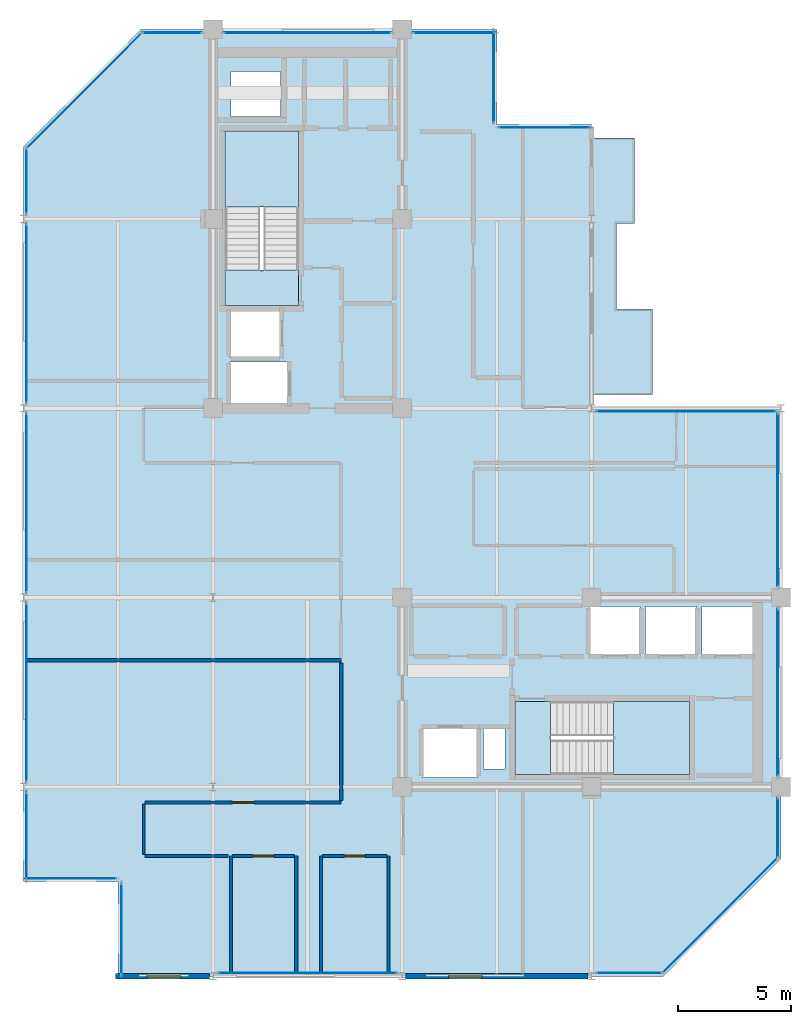
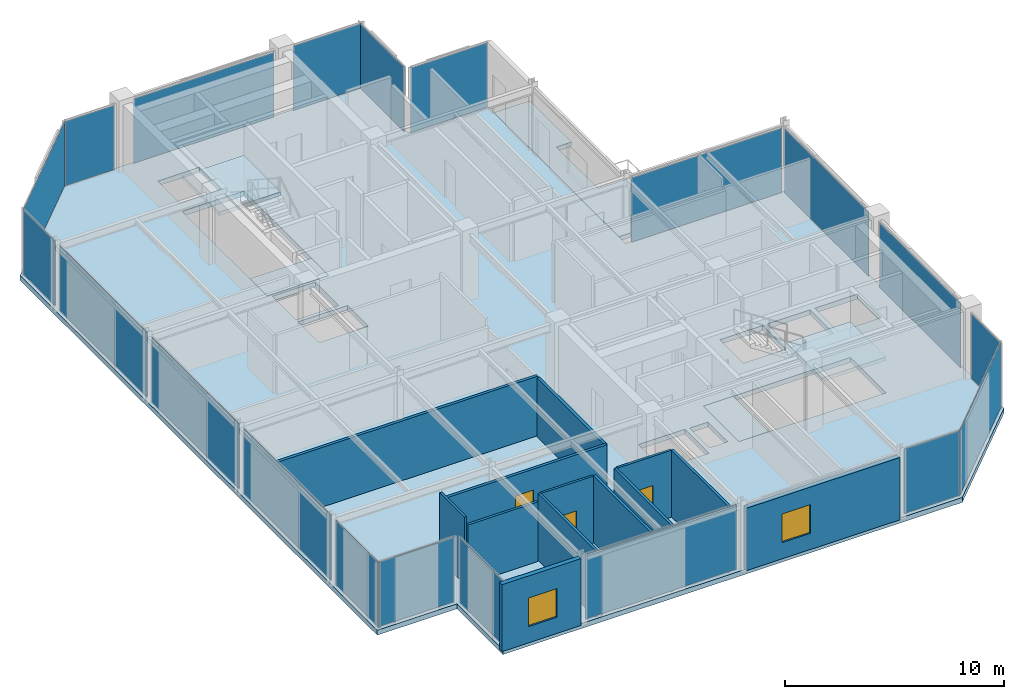
# One storey, part 19 of 24: 20 plates, 13 walls, 6 slabs, 3 doors, 2 windows, 5 openings, 22 elements without a shape of their own.
"""IFC4 building model written with IfcOpenShell, lengths in metres."""

from ifc_helpers import new_model, si_unit, direction, frame, frame_2d, origin, origin_2d, place, context, subcontext, project, spatial, polyline, rectangle, outline, extrude, material, layer, layer_set, type_object, element, fill, aggregate, save


model = new_model("IFC4")

# Units and contexts
model_context = context("Model", 3, precision=1e-05, world=origin(), true_north=direction((0.0, 1.0)))
body_context = subcontext(model_context, "Body", "Model", "MODEL_VIEW")
ifc_project = project(units=[si_unit("LENGTHUNIT", "METRE"), si_unit("AREAUNIT", "SQUARE_METRE"), si_unit("VOLUMEUNIT", "CUBIC_METRE"), si_unit("PLANEANGLEUNIT", "RADIAN"), si_unit("MASSUNIT", "GRAM", prefix="KILO")], contexts=[model_context])

# Site, building, storey
site_placement = place(None, origin())
site = spatial("IfcSite", under=ifc_project, at=site_placement, CompositionType="ELEMENT")
building_placement = place(site_placement, origin())
building = spatial("IfcBuilding", under=site, at=building_placement, Name="Nerrivon Quay Data Exchange", CompositionType="ELEMENT")
storey_placement = place(building_placement, frame((0.0, 0.0, 294.199951171875)))
storey = spatial("IfcBuildingStorey", under=building, at=storey_placement, Name="L70", CompositionType="ELEMENT", Elevation=294.199951171875)

# Curtain wall, plate
ifc_material_1 = material(Name="Anodised aluminium 6063-T6", Category="aluminium")
ifc_layer_1 = layer(ifc_material_1, 0.195068359375)
ifc_layer_set_1 = layer_set([ifc_layer_1], Name="Anodised aluminium 6063-T6")
curtain_wall_type = type_object("IfcCurtainWallType", Name="CW-SYS-06", PredefinedType="NOTDEFINED", material=ifc_layer_set_1)
curtain_wall_1_placement = place(storey_placement, origin())
curtain_wall_1 = element("IfcCurtainWall", 1, at=curtain_wall_1_placement, inside=storey, type_object=curtain_wall_type, Name="L70 Unitised Curtain Wall 1", PredefinedType="NOTDEFINED")
ifc_material_2 = material(Name="Double-glazed low-E solar control glass", Category="glass")
ifc_layer_2 = layer(ifc_material_2, 0.028076171875)
ifc_layer_set_2 = layer_set([ifc_layer_2], Name="Double-glazed low-E solar control glass")
plate_type = type_object("IfcPlateType", Name="CWP-GLZ-28", PredefinedType="CURTAIN_PANEL", material=ifc_layer_set_2)
plate_1_placement = place(storey_placement, frame((30.90087890625, 2.698974609375, 0.06494140625), z_axis=(0.0, 0.0, 1.0), x_axis=(-0.707106781187, -0.707106781187, 0.0)))
plate_1 = element("IfcPlate", 2, at=plate_1_placement, type_object=plate_type, Name="CW06 panel 1.1", PredefinedType="CURTAIN_PANEL", context=body_context, shape_type="SweptSolid", body=[
    extrude(rectangle(XDim=7.203857421875, YDim=0.028076171875, at=origin_2d()), origin(), (0.0, 0.0, 1.0), 3.594970703125),
])
aggregate(curtain_wall_1, [plate_1])

curtain_wall_2_placement = place(storey_placement, origin())
curtain_wall_2 = element("IfcCurtainWall", 3, at=curtain_wall_2_placement, inside=storey, type_object=curtain_wall_type, Name="L70 Unitised Curtain Wall 2", PredefinedType="NOTDEFINED")
plate_2_placement = place(storey_placement, frame((26.877685546875, 0.139892578125, 0.06494140625), z_axis=(0.0, 0.0, 1.0), x_axis=(-1.0, 0.0, 0.0)))
plate_2 = element("IfcPlate", 4, at=plate_2_placement, type_object=plate_type, Name="CW06 panel 1.1", PredefinedType="CURTAIN_PANEL", context=body_context, shape_type="SweptSolid", body=[
    extrude(rectangle(XDim=2.89453125, YDim=0.028076171875, at=origin_2d()), origin(), (0.0, 0.0, 1.0), 3.594970703125),
])
aggregate(curtain_wall_2, [plate_2])

curtain_wall_3_placement = place(storey_placement, origin())
curtain_wall_3 = element("IfcCurtainWall", 5, at=curtain_wall_3_placement, inside=storey, type_object=curtain_wall_type, Name="L70 Unitised Curtain Wall 4", PredefinedType="NOTDEFINED")
plate_3_placement = place(storey_placement, frame((12.60009765625, 0.139892578125, 0.06494140625), z_axis=(0.0, 0.0, 1.0), x_axis=(-1.0, 0.0, 0.0)))
plate_3 = element("IfcPlate", 6, at=plate_3_placement, type_object=plate_type, Name="CW06 panel 1.1", PredefinedType="CURTAIN_PANEL", context=body_context, shape_type="SweptSolid", body=[
    extrude(rectangle(XDim=7.93896484375, YDim=0.028076171875, at=origin_2d()), origin(), (0.0, 0.0, 1.0), 3.594970703125),
])
aggregate(curtain_wall_3, [plate_3])

curtain_wall_4_placement = place(storey_placement, origin())
curtain_wall_4 = element("IfcCurtainWall", 7, at=curtain_wall_4_placement, inside=storey, type_object=curtain_wall_type, Name="L70 Unitised Curtain Wall 6", PredefinedType="NOTDEFINED")
plate_4_placement = place(storey_placement, frame((4.340087890625, 2.10009765625, 0.06494140625), z_axis=(0.0, 0.0, 1.0), x_axis=(0.0, 1.0, 0.0)))
plate_4 = element("IfcPlate", 8, at=plate_4_placement, type_object=plate_type, Name="CW06 panel 1.1", PredefinedType="CURTAIN_PANEL", context=body_context, shape_type="SweptSolid", body=[
    extrude(rectangle(XDim=4.050048828125, YDim=0.028076171875, at=origin_2d()), origin(), (0.0, 0.0, 1.0), 3.594970703125),
])
aggregate(curtain_wall_4, [plate_4])

curtain_wall_5_placement = place(storey_placement, origin())
curtain_wall_5 = element("IfcCurtainWall", 9, at=curtain_wall_5_placement, inside=storey, type_object=curtain_wall_type, Name="L70 Unitised Curtain Wall 7", PredefinedType="NOTDEFINED")
plate_5_placement = place(storey_placement, frame((2.10009765625, 4.340087890625, 0.06494140625), z_axis=(0.0, 0.0, 1.0), x_axis=(-1.0, 0.0, 0.0)))
plate_5 = element("IfcPlate", 10, at=plate_5_placement, type_object=plate_type, Name="CW06 panel 1.1", PredefinedType="CURTAIN_PANEL", context=body_context, shape_type="SweptSolid", body=[
    extrude(rectangle(XDim=4.050048828125, YDim=0.028076171875, at=origin_2d()), origin(), (0.0, 0.0, 1.0), 3.594970703125),
])
aggregate(curtain_wall_5, [plate_5])

curtain_wall_6_placement = place(storey_placement, origin())
curtain_wall_6 = element("IfcCurtainWall", 11, at=curtain_wall_6_placement, inside=storey, type_object=curtain_wall_type, Name="L70 Unitised Curtain Wall 8", PredefinedType="NOTDEFINED")
plate_6_placement = place(storey_placement, frame((0.139892578125, 6.21826171875, 0.06494140625), z_axis=(0.0, 0.0, 1.0), x_axis=(0.0, 1.0, 0.0)))
plate_6 = element("IfcPlate", 12, at=plate_6_placement, type_object=plate_type, Name="CW06 panel 1.1", PredefinedType="CURTAIN_PANEL", context=body_context, shape_type="SweptSolid", body=[
    extrude(rectangle(XDim=3.886474609375, YDim=0.028076171875, at=origin_2d()), origin(), (0.0, 0.0, 1.0), 3.594970703125),
])
aggregate(curtain_wall_6, [plate_6])

curtain_wall_7_placement = place(storey_placement, origin())
curtain_wall_7 = element("IfcCurtainWall", 13, at=curtain_wall_7_placement, inside=storey, type_object=curtain_wall_type, Name="L70 Unitised Curtain Wall 9", PredefinedType="NOTDEFINED")
plate_7_placement = place(storey_placement, frame((0.139892578125, 12.60009765625, 0.06494140625), z_axis=(0.0, 0.0, 1.0), x_axis=(0.0, 1.0, 0.0)))
plate_7 = element("IfcPlate", 14, at=plate_7_placement, type_object=plate_type, Name="CW06 panel 1.1", PredefinedType="CURTAIN_PANEL", context=body_context, shape_type="SweptSolid", body=[
    extrude(rectangle(XDim=7.923095703125, YDim=0.028076171875, at=origin_2d()), origin(), (0.0, 0.0, 1.0), 3.594970703125),
])
aggregate(curtain_wall_7, [plate_7])

curtain_wall_8_placement = place(storey_placement, origin())
curtain_wall_8 = element("IfcCurtainWall", 15, at=curtain_wall_8_placement, inside=storey, type_object=curtain_wall_type, Name="L70 Unitised Curtain Wall 10", PredefinedType="NOTDEFINED")
plate_8_placement = place(storey_placement, frame((0.139892578125, 21.0, 0.06494140625), z_axis=(0.0, 0.0, 1.0), x_axis=(0.0, 1.0, 0.0)))
plate_8 = element("IfcPlate", 16, at=plate_8_placement, type_object=plate_type, Name="CW06 panel 1.1", PredefinedType="CURTAIN_PANEL", context=body_context, shape_type="SweptSolid", body=[
    extrude(rectangle(XDim=7.923095703125, YDim=0.028076171875, at=origin_2d()), origin(), (0.0, 0.0, 1.0), 3.594970703125),
])
aggregate(curtain_wall_8, [plate_8])

curtain_wall_9_placement = place(storey_placement, origin())
curtain_wall_9 = element("IfcCurtainWall", 17, at=curtain_wall_9_placement, inside=storey, type_object=curtain_wall_type, Name="L70 Unitised Curtain Wall 11", PredefinedType="NOTDEFINED")
plate_9_placement = place(storey_placement, frame((0.139892578125, 29.39990234375, 0.06494140625), z_axis=(0.0, 0.0, 1.0), x_axis=(0.0, 1.0, 0.0)))
plate_9 = element("IfcPlate", 18, at=plate_9_placement, type_object=plate_type, Name="CW06 panel 1.1", PredefinedType="CURTAIN_PANEL", context=body_context, shape_type="SweptSolid", body=[
    extrude(rectangle(XDim=7.923095703125, YDim=0.028076171875, at=origin_2d()), origin(), (0.0, 0.0, 1.0), 3.594970703125),
])
aggregate(curtain_wall_9, [plate_9])

curtain_wall_10_placement = place(storey_placement, origin())
curtain_wall_10 = element("IfcCurtainWall", 19, at=curtain_wall_10_placement, inside=storey, type_object=curtain_wall_type, Name="L70 Unitised Curtain Wall 12", PredefinedType="NOTDEFINED")
plate_10_placement = place(storey_placement, frame((0.139892578125, 35.28173828125, 0.06494140625), z_axis=(0.0, 0.0, 1.0), x_axis=(0.0, 1.0, 0.0)))
plate_10 = element("IfcPlate", 20, at=plate_10_placement, type_object=plate_type, Name="CW06 panel 1.1", PredefinedType="CURTAIN_PANEL", context=body_context, shape_type="SweptSolid", body=[
    extrude(rectangle(XDim=2.886474609375, YDim=0.028076171875, at=origin_2d()), origin(), (0.0, 0.0, 1.0), 3.594970703125),
])
aggregate(curtain_wall_10, [plate_10])

curtain_wall_11_placement = place(storey_placement, origin())
curtain_wall_11 = element("IfcCurtainWall", 21, at=curtain_wall_11_placement, inside=storey, type_object=curtain_wall_type, Name="L70 Unitised Curtain Wall 13", PredefinedType="NOTDEFINED")
plate_11_placement = place(storey_placement, frame((2.698974609375, 39.301025390625, 0.06494140625), z_axis=(0.0, 0.0, 1.0), x_axis=(0.707106781187, 0.707106781187, 0.0)))
plate_11 = element("IfcPlate", 22, at=plate_11_placement, type_object=plate_type, Name="CW06 panel 1.1", PredefinedType="CURTAIN_PANEL", context=body_context, shape_type="SweptSolid", body=[
    extrude(rectangle(XDim=7.203857421875, YDim=0.028076171875, at=origin_2d()), origin(), (0.0, 0.0, 1.0), 3.594970703125),
])
aggregate(curtain_wall_11, [plate_11])

curtain_wall_12_placement = place(storey_placement, origin())
curtain_wall_12 = element("IfcCurtainWall", 23, at=curtain_wall_12_placement, inside=storey, type_object=curtain_wall_type, Name="L70 Unitised Curtain Wall 14", PredefinedType="NOTDEFINED")
plate_12_placement = place(storey_placement, frame((6.58740234375, 41.860107421875, 0.06494140625), z_axis=(0.0, 0.0, 1.0), x_axis=(1.0, 0.0, 0.0)))
plate_12 = element("IfcPlate", 24, at=plate_12_placement, type_object=plate_type, Name="CW06 panel 1.1", PredefinedType="CURTAIN_PANEL", context=body_context, shape_type="SweptSolid", body=[
    extrude(rectangle(XDim=2.625, YDim=0.028076171875, at=origin_2d()), origin(), (0.0, 0.0, 1.0), 3.594970703125),
])
aggregate(curtain_wall_12, [plate_12])

curtain_wall_13_placement = place(storey_placement, origin())
curtain_wall_13 = element("IfcCurtainWall", 25, at=curtain_wall_13_placement, inside=storey, type_object=curtain_wall_type, Name="L70 Unitised Curtain Wall 15", PredefinedType="NOTDEFINED")
plate_13_placement = place(storey_placement, frame((12.60009765625, 41.860107421875, 0.06494140625), z_axis=(0.0, 0.0, 1.0), x_axis=(1.0, 0.0, 0.0)))
plate_13 = element("IfcPlate", 26, at=plate_13_placement, type_object=plate_type, Name="CW06 panel 1.1", PredefinedType="CURTAIN_PANEL", context=body_context, shape_type="SweptSolid", body=[
    extrude(rectangle(XDim=7.39990234375, YDim=0.028076171875, at=origin_2d()), origin(), (0.0, 0.0, 1.0), 3.594970703125),
])
aggregate(curtain_wall_13, [plate_13])

curtain_wall_14_placement = place(storey_placement, origin())
curtain_wall_14 = element("IfcCurtainWall", 27, at=curtain_wall_14_placement, inside=storey, type_object=curtain_wall_type, Name="L70 Unitised Curtain Wall 16", PredefinedType="NOTDEFINED")
plate_14_placement = place(storey_placement, frame((19.112548828125, 41.860107421875, 0.06494140625), z_axis=(0.0, 0.0, 1.0), x_axis=(1.0, 0.0, 0.0)))
plate_14 = element("IfcPlate", 28, at=plate_14_placement, type_object=plate_type, Name="CW06 panel 1.1", PredefinedType="CURTAIN_PANEL", context=body_context, shape_type="SweptSolid", body=[
    extrude(rectangle(XDim=3.625, YDim=0.028076171875, at=origin_2d()), origin(), (0.0, 0.0, 1.0), 3.594970703125),
])
aggregate(curtain_wall_14, [plate_14])

curtain_wall_15_placement = place(storey_placement, origin())
curtain_wall_15 = element("IfcCurtainWall", 29, at=curtain_wall_15_placement, inside=storey, type_object=curtain_wall_type, Name="L70 Unitised Curtain Wall 17", PredefinedType="NOTDEFINED")
plate_15_placement = place(storey_placement, frame((20.860107421875, 39.89990234375, 0.06494140625), z_axis=(0.0, 0.0, 1.0), x_axis=(0.0, -1.0, 0.0)))
plate_15 = element("IfcPlate", 30, at=plate_15_placement, type_object=plate_type, Name="CW06 panel 1.1", PredefinedType="CURTAIN_PANEL", context=body_context, shape_type="SweptSolid", body=[
    extrude(rectangle(XDim=4.050048828125, YDim=0.028076171875, at=origin_2d()), origin(), (0.0, 0.0, 1.0), 3.594970703125),
])
aggregate(curtain_wall_15, [plate_15])

curtain_wall_16_placement = place(storey_placement, origin())
curtain_wall_16 = element("IfcCurtainWall", 31, at=curtain_wall_16_placement, inside=storey, type_object=curtain_wall_type, Name="L70 Unitised Curtain Wall 18", PredefinedType="NOTDEFINED")
plate_16_placement = place(storey_placement, frame((23.10009765625, 37.659912109375, 0.06494140625), z_axis=(0.0, 0.0, 1.0), x_axis=(1.0, 0.0, 0.0)))
plate_16 = element("IfcPlate", 32, at=plate_16_placement, type_object=plate_type, Name="CW06 panel 1.1", PredefinedType="CURTAIN_PANEL", context=body_context, shape_type="SweptSolid", body=[
    extrude(rectangle(XDim=4.050048828125, YDim=0.028076171875, at=origin_2d()), origin(), (0.0, 0.0, 1.0), 3.594970703125),
])
aggregate(curtain_wall_16, [plate_16])

curtain_wall_17_placement = place(storey_placement, origin())
curtain_wall_17 = element("IfcCurtainWall", 33, at=curtain_wall_17_placement, inside=storey, type_object=curtain_wall_type, Name="L70 Unitised Curtain Wall 21", PredefinedType="NOTDEFINED")
plate_17_placement = place(storey_placement, frame((29.39990234375, 25.06005859375, 0.06494140625), z_axis=(0.0, 0.0, 1.0), x_axis=(1.0, 0.0, 0.0)))
plate_17 = element("IfcPlate", 34, at=plate_17_placement, type_object=plate_type, Name="CW06 panel 1.1", PredefinedType="CURTAIN_PANEL", context=body_context, shape_type="SweptSolid", body=[
    extrude(rectangle(XDim=7.93896484375, YDim=0.028076171875, at=origin_2d()), origin(), (0.0, 0.0, 1.0), 3.594970703125),
])
aggregate(curtain_wall_17, [plate_17])

curtain_wall_18_placement = place(storey_placement, origin())
curtain_wall_18 = element("IfcCurtainWall", 35, at=curtain_wall_18_placement, inside=storey, type_object=curtain_wall_type, Name="L70 Unitised Curtain Wall 22", PredefinedType="NOTDEFINED")
plate_18_placement = place(storey_placement, frame((33.4599609375, 21.130859375, 0.06494140625), z_axis=(0.0, 0.0, 1.0), x_axis=(0.0, -1.0, 0.0)))
plate_18 = element("IfcPlate", 36, at=plate_18_placement, type_object=plate_type, Name="CW06 panel 1.1", PredefinedType="CURTAIN_PANEL", context=body_context, shape_type="SweptSolid", body=[
    extrude(rectangle(XDim=7.66162109375, YDim=0.028076171875, at=origin_2d()), origin(), (0.0, 0.0, 1.0), 3.594970703125),
])
aggregate(curtain_wall_18, [plate_18])

curtain_wall_19_placement = place(storey_placement, origin())
curtain_wall_19 = element("IfcCurtainWall", 37, at=curtain_wall_19_placement, inside=storey, type_object=curtain_wall_type, Name="L70 Unitised Curtain Wall 23", PredefinedType="NOTDEFINED")
plate_19_placement = place(storey_placement, frame((33.4599609375, 12.60009765625, 0.06494140625), z_axis=(0.0, 0.0, 1.0), x_axis=(0.0, -1.0, 0.0)))
plate_19 = element("IfcPlate", 38, at=plate_19_placement, type_object=plate_type, Name="CW06 panel 1.1", PredefinedType="CURTAIN_PANEL", context=body_context, shape_type="SweptSolid", body=[
    extrude(rectangle(XDim=7.39990234375, YDim=0.028076171875, at=origin_2d()), origin(), (0.0, 0.0, 1.0), 3.594970703125),
])
aggregate(curtain_wall_19, [plate_19])

curtain_wall_20_placement = place(storey_placement, origin())
curtain_wall_20 = element("IfcCurtainWall", 39, at=curtain_wall_20_placement, inside=storey, type_object=curtain_wall_type, Name="L70 Unitised Curtain Wall 24", PredefinedType="NOTDEFINED")
plate_20_placement = place(storey_placement, frame((33.4599609375, 6.58740234375, 0.06494140625), z_axis=(0.0, 0.0, 1.0), x_axis=(0.0, -1.0, 0.0)))
plate_20 = element("IfcPlate", 40, at=plate_20_placement, type_object=plate_type, Name="CW06 panel 1.1", PredefinedType="CURTAIN_PANEL", context=body_context, shape_type="SweptSolid", body=[
    extrude(rectangle(XDim=2.625, YDim=0.028076171875, at=origin_2d()), origin(), (0.0, 0.0, 1.0), 3.594970703125),
])
aggregate(curtain_wall_20, [plate_20])

# Slab
ifc_material_3 = material(Name="Precast white architectural concrete N50 (50 MPa)", Category="concrete")
ifc_layer_3 = layer(ifc_material_3, 0.25)
ifc_layer_set_3 = layer_set([ifc_layer_3], Name="Precast white architectural concrete N50 (50 MPa)")
slab_type_1 = type_object("IfcSlabType", Name="SLB-BAL-250", PredefinedType="FLOOR", material=ifc_layer_set_3)
slab_1_placement = place(storey_placement, frame((0.0, 0.0, -0.25)))
element("IfcSlab", 41, at=slab_1_placement, inside=storey, type_object=slab_type_1, Name="L70 Waterfront Subtropical Verandah", PredefinedType="FLOOR", context=body_context, shape_type="SweptSolid", body=[
    extrude(outline(polyline([(26.300048828125, 29.60009765625), (26.300048828125, 33.39990234375), (27.10009765625, 33.39990234375), (27.10009765625, 37.199951171875), (25.199951171875, 37.199951171875), (25.199951171875, 33.39990234375), (25.199951171875, 29.60009765625), (25.199951171875, 25.800048828125), (27.89990234375, 25.800048828125), (27.89990234375, 29.60009765625), (26.300048828125, 29.60009765625)])), origin(), (0.0, 0.0, 1.0), 0.25),
])

# Stair, slab
ifc_material_4 = material(Name="Concrete N50 (50 MPa)", Category="concrete")
stair_type = type_object("IfcStairType", Name="STAIR-DOG-40", PredefinedType="HALF_TURN_STAIR", material=ifc_material_4)
stair_1_placement = place(storey_placement, origin())
stair_1 = element("IfcStair", 42, at=stair_1_placement, inside=storey, type_object=stair_type, Name="L70 West Core Fire Stair ST01", PredefinedType="HALF_TURN_STAIR")
ifc_layer_4 = layer(ifc_material_4, 0.199951171875)
ifc_layer_set_4 = layer_set([ifc_layer_4], Name="Concrete N50 (50 MPa)")
slab_type_2 = type_object("IfcSlabType", Name="SLB-LAND-200", PredefinedType="LANDING", material=ifc_layer_set_4)
slab_2_placement = place(storey_placement, frame((0.0, 0.0, 1.800048828125)))
slab_2 = element("IfcSlab", 43, at=slab_2_placement, type_object=slab_type_2, Name="ST01 landing 1", PredefinedType="LANDING", context=body_context, shape_type="SweptSolid", body=[
    extrude(outline(polyline([(12.199951171875, 34.1298828125), (12.199951171875, 37.5), (8.949951171875, 37.5), (8.949951171875, 34.1298828125), (12.199951171875, 34.1298828125)])), origin(), (0.0, 0.0, 1.0), 0.199951171875),
])
aggregate(stair_1, [slab_2])

# Slab
slab_3_placement = place(storey_placement, frame((0.0, 0.0, -0.199951171875)))
element("IfcSlab", 44, at=slab_3_placement, inside=storey, type_object=slab_type_2, Name="L70 ST01 floor landing", PredefinedType="LANDING", context=body_context, shape_type="SweptSolid", body=[
    extrude(outline(polyline([(12.199951171875, 29.75), (12.199951171875, 31.330078125), (8.949951171875, 31.330078125), (8.949951171875, 29.75), (12.199951171875, 29.75)])), origin(), (0.0, 0.0, 1.0), 0.199951171875),
])

# Stair, slab
stair_2_placement = place(storey_placement, origin())
stair_2 = element("IfcStair", 45, at=stair_2_placement, inside=storey, type_object=stair_type, Name="L70 East Core Fire Stair ST02", PredefinedType="HALF_TURN_STAIR")
slab_4_placement = place(storey_placement, frame((0.0, 0.0, 1.800048828125)))
slab_4 = element("IfcSlab", 46, at=slab_4_placement, type_object=slab_type_2, Name="ST02 landing 1", PredefinedType="LANDING", context=body_context, shape_type="SweptSolid", body=[
    extrude(outline(polyline([(26.179931640625, 8.949951171875), (29.550048828125, 8.949951171875), (29.550048828125, 12.199951171875), (26.179931640625, 12.199951171875), (26.179931640625, 8.949951171875)])), origin(), (0.0, 0.0, 1.0), 0.199951171875),
])
aggregate(stair_2, [slab_4])

# Slabs
slab_5_placement = place(storey_placement, frame((0.0, 0.0, -0.199951171875)))
element("IfcSlab", 47, at=slab_5_placement, inside=storey, type_object=slab_type_2, Name="L70 ST02 floor landing", PredefinedType="LANDING", context=body_context, shape_type="SweptSolid", body=[
    extrude(outline(polyline([(21.800048828125, 8.949951171875), (23.3798828125, 8.949951171875), (23.3798828125, 12.199951171875), (21.800048828125, 12.199951171875), (21.800048828125, 8.949951171875)])), origin(), (0.0, 0.0, 1.0), 0.199951171875),
])
ifc_layer_5 = layer(ifc_material_4, 0.27490234375)
ifc_layer_set_5 = layer_set([ifc_layer_5], Name="Concrete N50 (50 MPa)")
slab_type_3 = type_object("IfcSlabType", Name="SLB-TOW-275", PredefinedType="FLOOR", material=ifc_layer_set_5)
slab_6_placement = place(storey_placement, frame((0.0, 0.0, -0.27490234375)))
element("IfcSlab", 48, at=slab_6_placement, inside=storey, type_object=slab_type_3, Name="L70 Primary Structural Slab", PredefinedType="FLOOR", context=body_context, shape_type="SweptSolid", body=[
    extrude(outline(polyline([(33.60009765625, 25.199951171875), (25.199951171875, 25.199951171875), (25.199951171875, 37.800048828125), (21.0, 37.800048828125), (21.0, 42.0), (5.199951171875, 42.0), (0.0, 36.800048828125), (0.0, 4.199951171875), (4.199951171875, 4.199951171875), (4.199951171875, 0.0), (28.39990234375, 0.0), (33.60009765625, 5.199951171875), (33.60009765625, 25.199951171875)]), holes=[polyline([(8.949951171875, 29.75), (8.949951171875, 37.5), (12.199951171875, 37.5), (12.199951171875, 29.75), (8.949951171875, 29.75)]), polyline([(21.800048828125, 12.199951171875), (29.550048828125, 12.199951171875), (29.550048828125, 8.949951171875), (21.800048828125, 8.949951171875), (21.800048828125, 12.199951171875)]), polyline([(30.10009765625, 14.25), (30.10009765625, 16.39990234375), (32.35009765625, 16.39990234375), (32.35009765625, 14.25), (30.10009765625, 14.25)]), polyline([(27.60009765625, 14.25), (27.60009765625, 16.39990234375), (29.85009765625, 16.39990234375), (29.85009765625, 14.25), (27.60009765625, 14.25)]), polyline([(25.10009765625, 14.25), (25.10009765625, 16.39990234375), (27.35009765625, 16.39990234375), (27.35009765625, 14.25), (25.10009765625, 14.25)]), polyline([(20.39990234375, 9.199951171875), (20.39990234375, 11.0), (21.35009765625, 11.0), (21.35009765625, 9.199951171875), (20.39990234375, 9.199951171875)]), polyline([(17.699951171875, 8.830078125), (17.699951171875, 11.030029296875), (20.14990234375, 11.030029296875), (20.14990234375, 8.830078125), (17.699951171875, 8.830078125)]), polyline([(9.14990234375, 25.35009765625), (9.14990234375, 27.25), (11.75, 27.25), (11.75, 25.35009765625), (9.14990234375, 25.35009765625)]), polyline([(9.14990234375, 27.449951171875), (9.14990234375, 29.60009765625), (11.39990234375, 29.60009765625), (11.39990234375, 27.449951171875), (9.14990234375, 27.449951171875)]), polyline([(9.199951171875, 38.14990234375), (9.199951171875, 40.14990234375), (11.39990234375, 40.14990234375), (11.39990234375, 38.14990234375), (9.199951171875, 38.14990234375)])]), origin(), (0.0, 0.0, 1.0), 0.27490234375),
])

# Wall, opening, window
ifc_material_5 = material(Name="Architectural terracotta precast concrete N50 (50 MPa)", Category="masonry")
ifc_layer_6 = layer(ifc_material_5, 0.239990234375)
ifc_layer_set_6 = layer_set([ifc_layer_6], Name="Architectural terracotta precast concrete N50 (50 MPa)")
wall_type_1 = type_object("IfcWallType", Name="EW-PREC-240", PredefinedType="STANDARD", material=ifc_layer_set_6)
wall_1_placement = place(storey_placement, frame((25.04443359375, 0.0, 0.0), z_axis=(0.0, 0.0, 1.0), x_axis=(-1.0, 0.0, 0.0)))
wall_1 = element("IfcWall", 49, at=wall_1_placement, inside=storey, type_object=wall_type_1, Name="L70 Podium Precast Spandrel Wall 3", PredefinedType="STANDARD", context=body_context, shape_type="SweptSolid", body=[
    extrude(rectangle(XDim=8.0888671875, YDim=0.239990234375, at=frame_2d((4.04443359375, 0.0))), origin(), (0.0, 0.0, 1.0), 3.47509765625),
])
opening_1_placement = place(wall_1_placement, frame((4.69970703125, 0.0, 0.89990234375)))
opening_1 = element("IfcOpeningElement", 50, at=opening_1_placement, cuts=wall_1, Name="Opening WN4", PredefinedType="OPENING", context=body_context, shape_type="SweptSolid", body=[
    extrude(rectangle(XDim=1.5, YDim=1.60009765625, at=frame_2d((0.75, 0.800048828125))), frame((0.0, 0.1298828125, 0.0), z_axis=(0.0, -1.0, 0.0), x_axis=(1.0, 0.0, 0.0)), (0.0, 0.0, 1.0), 0.260009765625),
])
window_type = type_object("IfcWindowType", Name="WIN-W4-1500x1600", PartitioningType="SINGLE_PANEL", PredefinedType="WINDOW", material=ifc_material_2)
window_1_placement = place(opening_1_placement, origin())
window_1 = element("IfcWindow", 51, at=window_1_placement, inside=storey, type_object=window_type, Name="L70 Solar Facade Window 3", OverallHeight=1.60009765625, OverallWidth=1.5, PartitioningType="SINGLE_PANEL", PredefinedType="WINDOW", context=body_context, shape_type="SweptSolid", body=[
    extrude(rectangle(XDim=1.5, YDim=1.60009765625, at=frame_2d((0.75, 0.800048828125))), frame((0.0, 0.030029296875, 0.0), z_axis=(0.0, -1.0, 0.0), x_axis=(1.0, 0.0, 0.0)), (0.0, 0.0, 1.0), 0.06005859375),
])
fill(opening_1, window_1)

wall_2_placement = place(storey_placement, frame((8.244384765625, 0.0, 0.0), z_axis=(0.0, 0.0, 1.0), x_axis=(-1.0, 0.0, 0.0)))
wall_2 = element("IfcWall", 52, at=wall_2_placement, inside=storey, type_object=wall_type_1, Name="L70 Podium Precast Spandrel Wall 5", PredefinedType="STANDARD", context=body_context, shape_type="SweptSolid", body=[
    extrude(rectangle(XDim=4.164306640625, YDim=0.239990234375, at=frame_2d((2.08203125, 0.0))), origin(), (0.0, 0.0, 1.0), 3.72509765625),
])
opening_2_placement = place(wall_2_placement, frame((1.267333984375, 0.0, 0.89990234375)))
opening_2 = element("IfcOpeningElement", 53, at=opening_2_placement, cuts=wall_2, Name="Opening WN4", PredefinedType="OPENING", context=body_context, shape_type="SweptSolid", body=[
    extrude(rectangle(XDim=1.5, YDim=1.60009765625, at=frame_2d((0.75, 0.800048828125))), frame((0.0, 0.1298828125, 0.0), z_axis=(0.0, -1.0, 0.0), x_axis=(1.0, 0.0, 0.0)), (0.0, 0.0, 1.0), 0.260009765625),
])
window_2_placement = place(opening_2_placement, origin())
window_2 = element("IfcWindow", 54, at=window_2_placement, inside=storey, type_object=window_type, Name="L70 Solar Facade Window 5", OverallHeight=1.60009765625, OverallWidth=1.5, PartitioningType="SINGLE_PANEL", PredefinedType="WINDOW", context=body_context, shape_type="SweptSolid", body=[
    extrude(rectangle(XDim=1.5, YDim=1.60009765625, at=frame_2d((0.75, 0.800048828125))), frame((0.0, 0.030029296875, 0.0), z_axis=(0.0, -1.0, 0.0), x_axis=(1.0, 0.0, 0.0)), (0.0, 0.0, 1.0), 0.06005859375),
])
fill(opening_2, window_2)

# Wall, opening, door
ifc_material_6 = material(Name="Gypsum plasterboard on cold-formed framing", Category="gypsum")
ifc_layer_7 = layer(ifc_material_6, 0.1201171875)
ifc_layer_set_7 = layer_set([ifc_layer_7], Name="Gypsum plasterboard on cold-formed framing")
wall_type_2 = type_object("IfcWallType", Name="WALL-PT-120", PredefinedType="PARTITIONING", material=ifc_layer_set_7)
wall_3_placement = place(storey_placement, frame((16.12841796875, 5.340087890625, 0.0), z_axis=(0.0, 0.0, 1.0), x_axis=(-1.0, 0.0, 0.0)))
wall_3 = element("IfcWall", 55, at=wall_3_placement, inside=storey, type_object=wall_type_2, Name="L70 Partition Accessible Toilet", PredefinedType="PARTITIONING", context=body_context, shape_type="SweptSolid", body=[
    extrude(rectangle(XDim=2.85693359375, YDim=0.1201171875, at=frame_2d((1.428466796875, 0.0))), origin(), (0.0, 0.0, 1.0), 3.72509765625),
])
opening_3_placement = place(wall_3_placement, frame((0.968505859375, 0.0, 0.0)))
opening_3 = element("IfcOpeningElement", 56, at=opening_3_placement, cuts=wall_3, Name="Opening D-WC", PredefinedType="OPENING", context=body_context, shape_type="SweptSolid", body=[
    extrude(rectangle(XDim=0.919921875, YDim=2.10009765625, at=frame_2d((0.4599609375, 1.050048828125))), frame((0.0, 0.070068359375, 0.0), z_axis=(0.0, -1.0, 0.0), x_axis=(1.0, 0.0, 0.0)), (0.0, 0.0, 1.0), 0.14013671875),
])
ifc_material_7 = material(Name="Engineered hardwood timber", Category="wood")
door_type_1 = type_object("IfcDoorType", Name="DR-WC-920", OperationType="NOTDEFINED", PredefinedType="DOOR", material=ifc_material_7)
door_1_placement = place(opening_3_placement, origin())
door_1 = element("IfcDoor", 57, at=door_1_placement, inside=storey, type_object=door_type_1, Name="L70 Door Accessible Toilet", OperationType="SINGLE_SWING_RIGHT", OverallHeight=2.10009765625, OverallWidth=0.919921875, PredefinedType="DOOR", context=body_context, shape_type="SweptSolid", body=[
    extrude(rectangle(XDim=0.919921875, YDim=2.10009765625, at=frame_2d((0.4599609375, 1.050048828125))), frame((0.0, 0.02490234375, 0.0), z_axis=(0.0, -1.0, 0.0), x_axis=(1.0, 0.0, 0.0)), (0.0, 0.0, 1.0), 0.050048828125),
])
fill(opening_3, door_1)

wall_4_placement = place(storey_placement, frame((12.028564453125, 5.340087890625, 0.0), z_axis=(0.0, 0.0, 1.0), x_axis=(-1.0, 0.0, 0.0)))
wall_4 = element("IfcWall", 58, at=wall_4_placement, inside=storey, type_object=wall_type_2, Name="L70 Partition Public Washrooms", PredefinedType="PARTITIONING", context=body_context, shape_type="SweptSolid", body=[
    extrude(rectangle(XDim=2.757080078125, YDim=0.1201171875, at=frame_2d((1.37841796875, 0.0))), origin(), (0.0, 0.0, 1.0), 3.72509765625),
])
opening_4_placement = place(wall_4_placement, frame((0.91845703125, 0.0, 0.0)))
opening_4 = element("IfcOpeningElement", 59, at=opening_4_placement, cuts=wall_4, Name="Opening D-WC", PredefinedType="OPENING", context=body_context, shape_type="SweptSolid", body=[
    extrude(rectangle(XDim=0.919921875, YDim=2.10009765625, at=frame_2d((0.4599609375, 1.050048828125))), frame((0.0, 0.070068359375, 0.0), z_axis=(0.0, -1.0, 0.0), x_axis=(1.0, 0.0, 0.0)), (0.0, 0.0, 1.0), 0.14013671875),
])
door_2_placement = place(opening_4_placement, origin())
door_2 = element("IfcDoor", 60, at=door_2_placement, inside=storey, type_object=door_type_1, Name="L70 Door Public Washrooms", OperationType="SINGLE_SWING_LEFT", OverallHeight=2.10009765625, OverallWidth=0.919921875, PredefinedType="DOOR", context=body_context, shape_type="SweptSolid", body=[
    extrude(rectangle(XDim=0.919921875, YDim=2.10009765625, at=frame_2d((0.4599609375, 1.050048828125))), frame((0.0, 0.02490234375, 0.0), z_axis=(0.0, -1.0, 0.0), x_axis=(1.0, 0.0, 0.0)), (0.0, 0.0, 1.0), 0.050048828125),
])
fill(opening_4, door_2)

# Walls
wall_5_placement = place(storey_placement, frame((5.340087890625, 5.39990234375, 0.0), z_axis=(0.0, 0.0, 1.0), x_axis=(0.0, 1.0, 0.0)))
element("IfcWall", 61, at=wall_5_placement, inside=storey, type_object=wall_type_2, Name="L70 Partition Staff Bistro", PredefinedType="PARTITIONING", context=body_context, shape_type="SweptSolid", body=[
    extrude(rectangle(XDim=2.25, YDim=0.1201171875, at=frame_2d((1.125, 0.0))), origin(), (0.0, 0.0, 1.0), 3.72509765625),
])
ifc_layer_8 = layer(ifc_material_6, 0.135009765625)
ifc_layer_set_8 = layer_set([ifc_layer_8], Name="Gypsum plasterboard on cold-formed framing")
wall_type_3 = type_object("IfcWallType", Name="WALL-PT-135", PredefinedType="PARTITIONING", material=ifc_layer_set_8)
for number, where, z_axis, x_axis, name in (
    (62, (13.199951171875, 5.340087890625, 0.0), (0.0, 0.0, 1.0), (0.0, -1.0, 0.0), "L70 Partition Accessible Toilet"),
    (63, (16.199951171875, 0.1689453125, 0.0), (0.0, 0.0, 1.0), (0.0, 1.0, 0.0), "L70 Partition Accessible Toilet"),
    (64, (9.199951171875, 5.340087890625, 0.0), (0.0, 0.0, 1.0), (0.0, -1.0, 0.0), "L70 Partition Public Washrooms"),
    (65, (12.10009765625, 0.1689453125, 0.0), (0.0, 0.0, 1.0), (0.0, 1.0, 0.0), "L70 Partition Public Washrooms"),
):
    element("IfcWall", number, at=place(storey_placement, frame(where, z_axis=z_axis, x_axis=x_axis)), inside=storey, type_object=wall_type_3, Name=name, PredefinedType="PARTITIONING", context=body_context, shape_type="SweptSolid", body=[
        extrude(rectangle(XDim=5.171142578125, YDim=0.135009765625, at=frame_2d((2.58544921875, 0.0))), origin(), (0.0, 0.0, 1.0), 3.72509765625),
    ])
wall_6_placement = place(storey_placement, frame((9.080078125, 5.340087890625, 0.0), z_axis=(0.0, 0.0, 1.0), x_axis=(-1.0, 0.0, 0.0)))
element("IfcWall", 66, at=wall_6_placement, inside=storey, type_object=wall_type_3, Name="L70 Partition Staff Bistro", PredefinedType="PARTITIONING", context=body_context, shape_type="SweptSolid", body=[
    extrude(rectangle(XDim=3.68017578125, YDim=0.135009765625, at=frame_2d((1.840087890625, 0.0))), origin(), (0.0, 0.0, 1.0), 3.319091796875),
])
ifc_layer_9 = layer(ifc_material_6, 0.14990234375)
ifc_layer_set_9 = layer_set([ifc_layer_9], Name="Gypsum plasterboard on cold-formed framing")
wall_type_4 = type_object("IfcWallType", Name="WALL-PT-150", PredefinedType="PARTITIONING", material=ifc_layer_set_9)
wall_7_placement = place(storey_placement, frame((0.1689453125, 14.016845703125, 0.0), z_axis=(0.0, 0.0, 1.0), x_axis=(1.0, 0.0, 0.0)))
element("IfcWall", 67, at=wall_7_placement, inside=storey, type_object=wall_type_4, Name="L70 Partition Staff Tea Pantry", PredefinedType="PARTITIONING", context=body_context, shape_type="SweptSolid", body=[
    extrude(rectangle(XDim=13.921142578125, YDim=0.14990234375, at=frame_2d((6.96044921875, 0.0))), origin(), (0.0, 0.0, 1.0), 3.319091796875),
])

# Wall, opening, door
wall_8_placement = place(storey_placement, frame((5.39990234375, 7.7099609375, 0.0), z_axis=(0.0, 0.0, 1.0), x_axis=(1.0, 0.0, 0.0)))
wall_8 = element("IfcWall", 68, at=wall_8_placement, inside=storey, type_object=wall_type_4, Name="L70 Partition Staff Bistro", PredefinedType="PARTITIONING", context=body_context, shape_type="SweptSolid", body=[
    extrude(rectangle(XDim=8.690185546875, YDim=0.14990234375, at=frame_2d((4.34521484375, 0.0))), origin(), (0.0, 0.0, 1.0), 3.319091796875),
])
opening_5_placement = place(wall_8_placement, frame((3.8701171875, 0.0, 0.0)))
opening_5 = element("IfcOpeningElement", 69, at=opening_5_placement, cuts=wall_8, Name="Opening D-01", PredefinedType="OPENING", context=body_context, shape_type="SweptSolid", body=[
    extrude(rectangle(XDim=0.949951171875, YDim=2.14990234375, at=frame_2d((0.47509765625, 1.074951171875))), frame((0.0, 0.0849609375, 0.0), z_axis=(0.0, -1.0, 0.0), x_axis=(1.0, 0.0, 0.0)), (0.0, 0.0, 1.0), 0.169921875),
])
door_type_2 = type_object("IfcDoorType", Name="DR-INT-950", OperationType="NOTDEFINED", PredefinedType="DOOR", material=ifc_material_7)
door_3_placement = place(opening_5_placement, origin())
door_3 = element("IfcDoor", 70, at=door_3_placement, inside=storey, type_object=door_type_2, Name="L70 Door Staff Bistro", OperationType="SINGLE_SWING_LEFT", OverallHeight=2.14990234375, OverallWidth=0.949951171875, PredefinedType="DOOR", context=body_context, shape_type="SweptSolid", body=[
    extrude(rectangle(XDim=0.949951171875, YDim=2.14990234375, at=frame_2d((0.47509765625, 1.074951171875))), frame((0.0, 0.02490234375, 0.0), z_axis=(0.0, -1.0, 0.0), x_axis=(1.0, 0.0, 0.0)), (0.0, 0.0, 1.0), 0.050048828125),
])
fill(opening_5, door_3)

# Wall
wall_9_placement = place(storey_placement, frame((14.090087890625, 7.7890625, 0.0), z_axis=(0.0, 0.0, 1.0), x_axis=(0.0, 1.0, 0.0)))
element("IfcWall", 71, at=wall_9_placement, inside=storey, type_object=wall_type_4, Name="L70 Partition Staff Bistro", PredefinedType="PARTITIONING", context=body_context, shape_type="SweptSolid", body=[
    extrude(rectangle(XDim=6.10791015625, YDim=0.14990234375, at=frame_2d((3.053955078125, 0.0))), origin(), (0.0, 0.0, 1.0), 3.27099609375),
])

save(model, "model.ifc")
